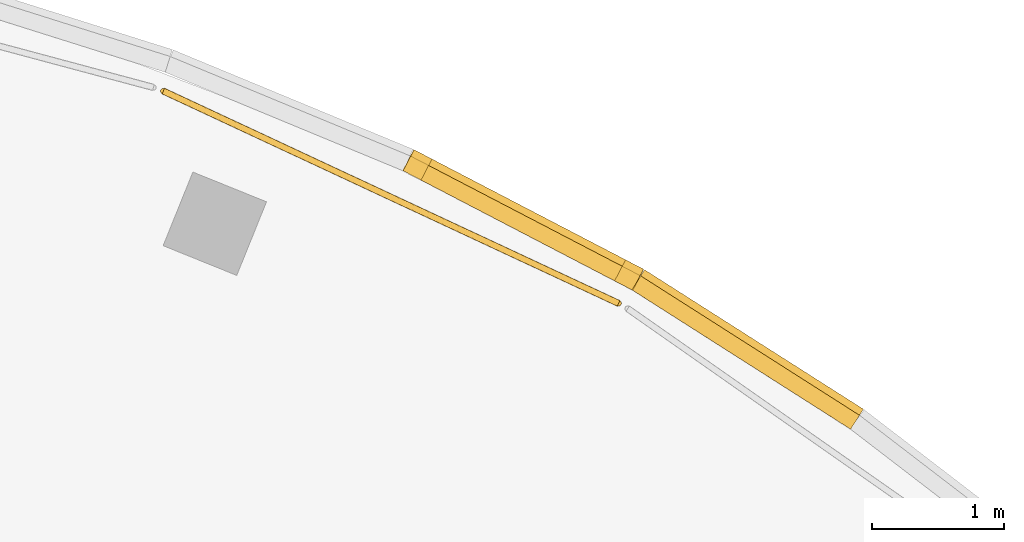
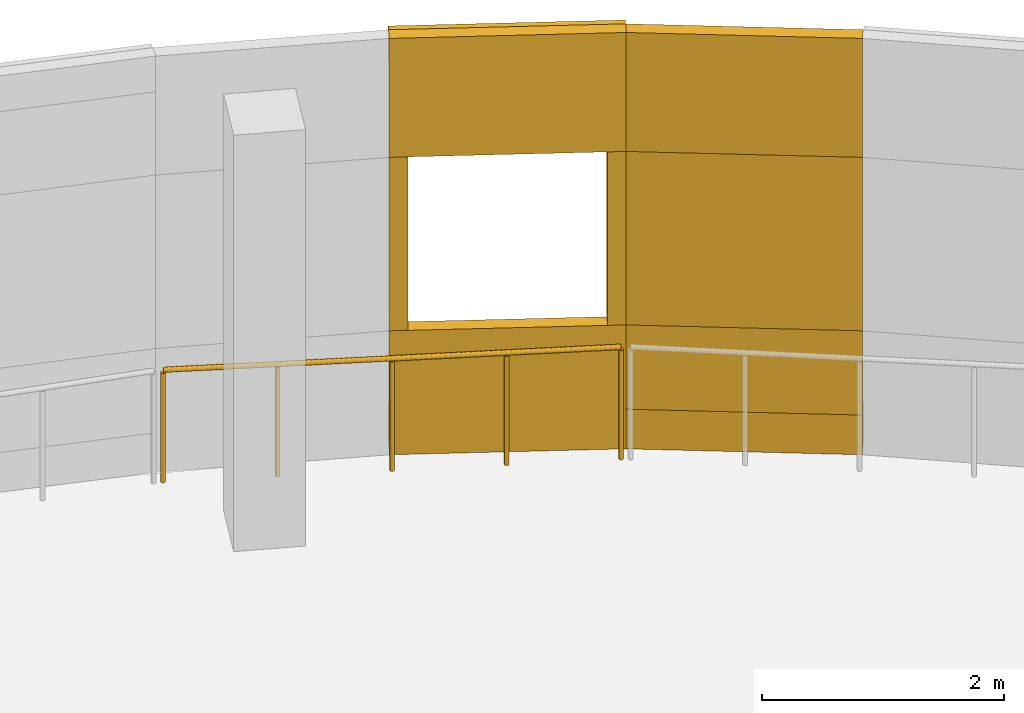
# One storey, part 132 of 132: 10 coverings, 1 railing.
"""IFC4 building model written with IfcOpenShell, lengths in metres."""

from ifc_helpers import new_model, si_unit, direction, frame, origin, origin_2d, place, context, subcontext, project, spatial, rectangle, circle, extrude, material, layer, layer_set, type_object, element, save


model = new_model("IFC4")

# Units and contexts
model_context = context("Model", 3, precision=1e-05, world=origin(), true_north=direction((0.0, 1.0)))
body_context = subcontext(model_context, "Body", "Model", "MODEL_VIEW")
ifc_project = project(units=[si_unit("LENGTHUNIT", "METRE"), si_unit("AREAUNIT", "SQUARE_METRE"), si_unit("VOLUMEUNIT", "CUBIC_METRE"), si_unit("PLANEANGLEUNIT", "RADIAN"), si_unit("MASSUNIT", "GRAM", prefix="KILO")], contexts=[model_context])

# Site, building, storey
site_placement = place(None, origin())
site = spatial("IfcSite", under=ifc_project, at=site_placement, CompositionType="ELEMENT")
building_placement = place(site_placement, origin())
building = spatial("IfcBuilding", under=site, at=building_placement, Name="Deido Ridge Mobility Hub", CompositionType="ELEMENT")
storey_placement = place(building_placement, frame((0.0, 0.0, 8.39990234375)))
storey = spatial("IfcBuildingStorey", under=building, at=storey_placement, Name="L02", CompositionType="ELEMENT", Elevation=8.39990234375)

# Coverings
ifc_material_1 = material(Name="Fired clay brick masonry", Category="masonry")
ifc_layer = layer(ifc_material_1, 0.114990234375, Name="Fired clay brick masonry")
ifc_layer_set = layer_set([ifc_layer], Name="Fired clay brick masonry")
covering_type = type_object("IfcCoveringType", Name="COV-BRK-SCREEN-115", PredefinedType="CLADDING", material=ifc_layer_set)
covering_1_placement = place(storey_placement, frame((129.049560546875, 122.4140625, 0.0), z_axis=(0.0, 0.0, 1.0), x_axis=(-0.843382068037, 0.537314328223, 0.0)))
element("IfcCovering", 1, at=covering_1_placement, inside=storey, type_object=covering_type, Name="Open brickwork spandrel course BKS1 (L02)", PredefinedType="CLADDING", context=body_context, shape_type="SweptSolid", body=[
    extrude(rectangle(XDim=1.9619140625, YDim=0.125, at=origin_2d()), origin(), (0.0, 0.0, 1.0), 1.25),
])
covering_2_placement = place(storey_placement, frame((129.064208984375, 122.437255859375, 0.000244140625), z_axis=(0.0, 0.0, 1.0), x_axis=(-0.843382068037, 0.537314328223, 0.0)))
element("IfcCovering", 2, at=covering_2_placement, inside=storey, type_object=covering_type, Name="Raised brick relief belt BKS1 (L02)", PredefinedType="CLADDING", context=body_context, shape_type="SweptSolid", body=[
    extrude(rectangle(XDim=1.9619140625, YDim=0.179931640625, at=origin_2d()), origin(), (0.0, 0.0, 1.0), 0.39990234375),
])
covering_3_placement = place(storey_placement, frame((129.049560546875, 122.4140625, 3.0), z_axis=(0.0, 0.0, 1.0), x_axis=(-0.843382068037, 0.537314328223, 0.0)))
element("IfcCovering", 3, at=covering_3_placement, inside=storey, type_object=covering_type, Name="Open brickwork lintel course BKS1 (L02)", PredefinedType="CLADDING", context=body_context, shape_type="SweptSolid", body=[
    extrude(rectangle(XDim=1.9619140625, YDim=0.125, at=origin_2d()), origin(), (0.0, 0.0, 1.0), 1.199951171875),
])
covering_4_placement = place(storey_placement, frame((129.049560546875, 122.4140625, 1.25), z_axis=(0.0, 0.0, 1.0), x_axis=(-0.843382068037, 0.537314328223, 0.0)))
element("IfcCovering", 4, at=covering_4_placement, inside=storey, type_object=covering_type, Name="Curved raised brickwork pier BKS1 (L02)", PredefinedType="CLADDING", context=body_context, shape_type="SweptSolid", body=[
    extrude(rectangle(XDim=1.9619140625, YDim=0.125, at=origin_2d()), origin(), (0.0, 0.0, 1.0), 1.75),
])
covering_5_placement = place(storey_placement, frame((127.355224609375, 123.392333984375, 0.0), z_axis=(0.0, 0.0, 1.0), x_axis=(-0.887018892077, 0.461733131905, 0.0)))
element("IfcCovering", 5, at=covering_5_placement, inside=storey, type_object=covering_type, Name="Open brickwork spandrel course BKS1 (L02)", PredefinedType="CLADDING", context=body_context, shape_type="SweptSolid", body=[
    extrude(rectangle(XDim=1.9619140625, YDim=0.125, at=origin_2d()), origin(), (0.0, 0.0, 1.0), 1.25),
])
covering_6_placement = place(storey_placement, frame((127.367919921875, 123.416748046875, 0.000244140625), z_axis=(0.0, 0.0, 1.0), x_axis=(-0.887018892077, 0.461733131905, 0.0)))
element("IfcCovering", 6, at=covering_6_placement, inside=storey, type_object=covering_type, Name="Raised brick relief belt BKS1 (L02)", PredefinedType="CLADDING", context=body_context, shape_type="SweptSolid", body=[
    extrude(rectangle(XDim=1.9619140625, YDim=0.179931640625, at=origin_2d()), origin(), (0.0, 0.0, 1.0), 0.39990234375),
])
covering_7_placement = place(storey_placement, frame((127.355224609375, 123.392333984375, 3.0), z_axis=(0.0, 0.0, 1.0), x_axis=(-0.887018892077, 0.461733131905, 0.0)))
element("IfcCovering", 7, at=covering_7_placement, inside=storey, type_object=covering_type, Name="Open brickwork lintel course BKS1 (L02)", PredefinedType="CLADDING", context=body_context, shape_type="SweptSolid", body=[
    extrude(rectangle(XDim=1.9619140625, YDim=0.125, at=origin_2d()), origin(), (0.0, 0.0, 1.0), 1.199951171875),
])
covering_8_placement = place(storey_placement, frame((127.367919921875, 123.416748046875, 3.83984375), z_axis=(0.0, 0.0, 1.0), x_axis=(-0.887018892077, 0.461733131905, 0.0)))
element("IfcCovering", 8, at=covering_8_placement, inside=storey, type_object=covering_type, Name="Raised brick relief cornice BKS1 (L02)", PredefinedType="CLADDING", context=body_context, shape_type="SweptSolid", body=[
    extrude(rectangle(XDim=1.9619140625, YDim=0.179931640625, at=origin_2d()), origin(), (0.0, 0.0, 1.0), 0.360107421875),
])
for number, where, z_axis, x_axis, name in (
    (9, (128.167236328125, 123.00048828125, 1.25), (0.0, 0.0, 1.0), (-0.887018892077, 0.461733131905, 0.0), "Curved brick jamb nib BKS1 (L02)"),
    (10, (126.568603515625, 123.832763671875, 1.25), (0.0, 0.0, 1.0), (-0.887018892077, 0.461733131905, 0.0), "Curved brick jamb nib BKS1 (L02)"),
):
    element("IfcCovering", number, at=place(storey_placement, frame(where, z_axis=z_axis, x_axis=x_axis)), inside=storey, type_object=covering_type, Name=name, PredefinedType="CLADDING", context=body_context, shape_type="SweptSolid", body=[
        extrude(rectangle(XDim=0.152099609375, YDim=0.179931640625, at=origin_2d()), origin(), (0.0, 0.0, 1.0), 1.75),
    ])

# Railing
ifc_material_2 = material(Name="Galvanised steel work", Category="steel")
railing_type = type_object("IfcRailingType", Name="RL-GRD-EXT-1150", PredefinedType="GUARDRAIL", material=ifc_material_2)
railing_placement = place(storey_placement, frame((128.088623046875, 122.785888671875, 0.0)))
element("IfcRailing", 11, at=railing_placement, inside=storey, type_object=railing_type, Name="Parking drum perimeter guard (L02)", PredefinedType="GUARDRAIL", context=body_context, shape_type="SweptSolid", body=[
    extrude(circle(Radius=0.02392578125, at=origin_2d()), frame((0.0, 0.0, 1.1259765625), z_axis=(-0.906281639574, 0.422674330627, 0.0), x_axis=(-0.422674330627, -0.906281639574, 0.0)), (0.0, 0.0, 1.0), 3.79833984375),
    extrude(circle(Radius=0.02099609375, at=origin_2d()), origin(), (0.0, 0.0, 1.0), 1.101806640625),
    extrude(circle(Radius=0.02099609375, at=origin_2d()), frame((-0.860595703125, 0.4013671875, 0.0)), (0.0, 0.0, 1.0), 1.101806640625),
    extrude(circle(Radius=0.02099609375, at=origin_2d()), frame((-1.72119140625, 0.802734375, 0.0)), (0.0, 0.0, 1.0), 1.101806640625),
    extrude(circle(Radius=0.02099609375, at=origin_2d()), frame((-2.581787109375, 1.2041015625, 0.0)), (0.0, 0.0, 1.0), 1.101806640625),
    extrude(circle(Radius=0.02099609375, at=origin_2d()), frame((-3.4423828125, 1.60546875, 0.0)), (0.0, 0.0, 1.0), 1.101806640625),
])

save(model, "model.ifc")
